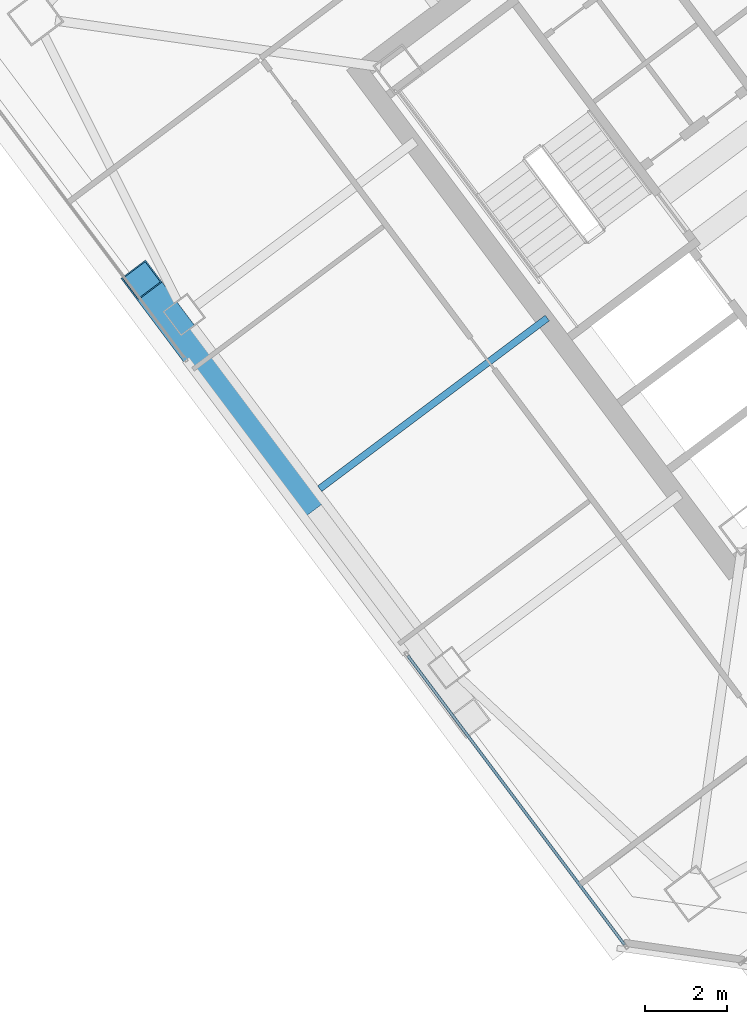
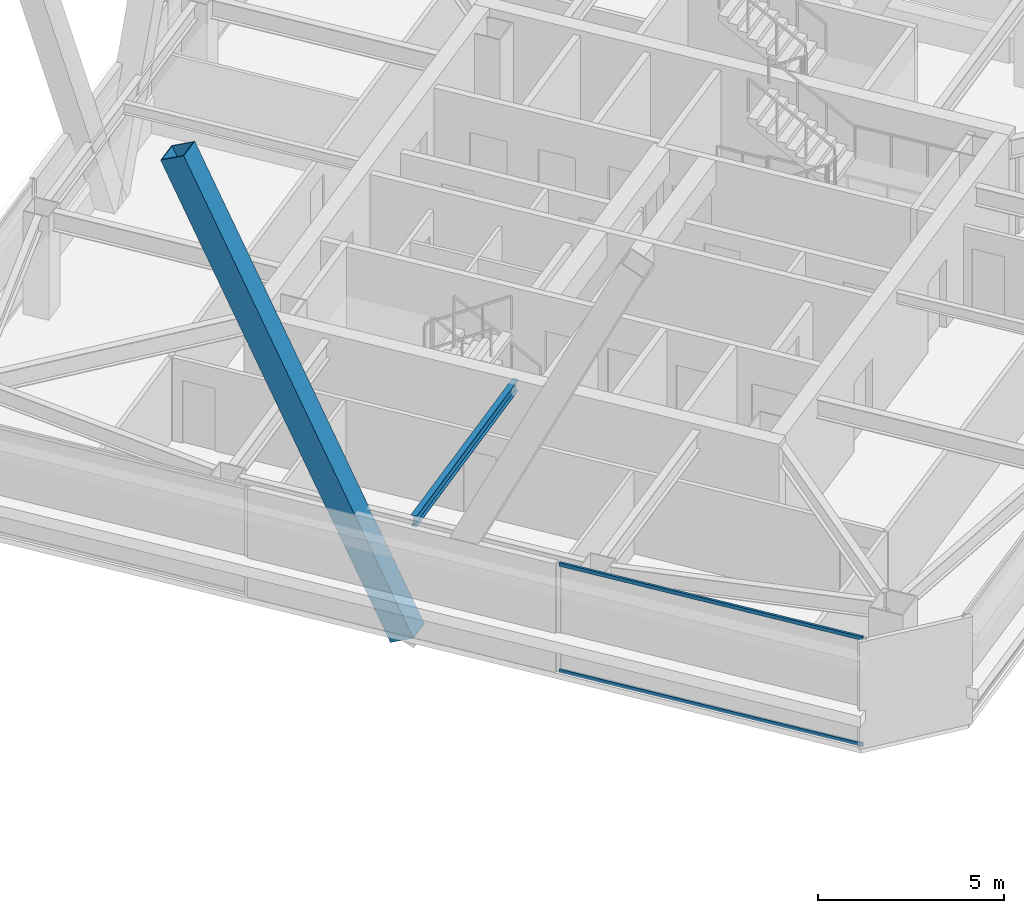
# One storey, part 20 of 47: 3 members, 1 beam, 1 element without a shape of its own.
"""IFC4 building model written with IfcOpenShell, lengths in metres."""

from ifc_helpers import new_model, si_unit, direction, frame, origin, origin_2d, place, context, subcontext, project, spatial, hollow_rectangle, i_section, extrude, material, material_profile, profile_set, type_object, element, aggregate, save


model = new_model("IFC4")

# Units and contexts
model_context = context("Model", 3, precision=1e-05, world=origin(), true_north=direction((0.0, 1.0)))
body_context = subcontext(model_context, "Body", "Model", "MODEL_VIEW")
ifc_project = project(units=[si_unit("LENGTHUNIT", "METRE"), si_unit("AREAUNIT", "SQUARE_METRE"), si_unit("VOLUMEUNIT", "CUBIC_METRE"), si_unit("PLANEANGLEUNIT", "RADIAN"), si_unit("MASSUNIT", "GRAM", prefix="KILO")], contexts=[model_context])

# Site, building, storey
site_placement = place(None, origin())
site = spatial("IfcSite", under=ifc_project, at=site_placement, CompositionType="ELEMENT")
building_placement = place(site_placement, origin())
building = spatial("IfcBuilding", under=site, at=building_placement, Name="Tashvorn Skyway Center", CompositionType="ELEMENT")
storey_placement = place(building_placement, frame((0.0, 0.0, 204.199951171875)))
storey = spatial("IfcBuildingStorey", under=building, at=storey_placement, Name="L55", CompositionType="ELEMENT", Elevation=204.199951171875)

# Beam
ifc_material_1 = material(Name="Steel ASTM A992 Grade 50", Category="steel")
ifc_material_profile_1 = material_profile(ifc_material_1, i_section(OverallWidth=0.1708984375, OverallDepth=0.35498046875, WebThickness=0.007080078125, FlangeThickness=0.01171875, at=origin_2d()), Name="W14X34")
ifc_profile_set_1 = profile_set([ifc_material_profile_1], Name="Steel ASTM A992 Grade 50")
beam_type = type_object("IfcBeamType", Name="BM-JOIST-W14X34", PredefinedType="JOIST", material=ifc_profile_set_1)
beam_placement = place(storey_placement, frame((107.76806640625, 27.325927734375, 3.192626953125), z_axis=(-0.800004207761, -0.599994389612, 0.0), x_axis=(0.599994389612, -0.800004207761, 0.0)))
element("IfcBeam", 1, at=beam_placement, inside=storey, type_object=beam_type, Name="Tower 2 L55 Secondary Composite Joist JW", PredefinedType="JOIST", context=body_context, shape_type="SweptSolid", body=[
    extrude(i_section(OverallWidth=0.1708984375, OverallDepth=0.35498046875, WebThickness=0.007080078125, FlangeThickness=0.01171875, at=origin_2d()), origin(), (0.0, 0.0, 1.0), 6.962646484375),
])

# Curtain wall, members
ifc_material_2 = material(Name="Thermally broken bronze-anodized aluminium 6063-T6", Category="aluminium")
curtain_wall_type = type_object("IfcCurtainWallType", Name="CW-CW-Z5", PredefinedType="NOTDEFINED", material=ifc_material_2)
curtain_wall_placement = place(storey_placement, origin())
curtain_wall = element("IfcCurtainWall", 2, at=curtain_wall_placement, inside=storey, type_object=curtain_wall_type, Name="Tower 2 L55 West Unitised Curtain Wall Glazing Group 1", PredefinedType="NOTDEFINED")
ifc_material_profile_2 = material_profile(ifc_material_2, hollow_rectangle(XDim=0.070068359375, YDim=0.114990234375, WallThickness=0.00390625, at=origin_2d()), Name="ALU-TRAN-70x115")
ifc_profile_set_2 = profile_set([ifc_material_profile_2], Name="Thermally broken bronze-anodized aluminium 6063-T6")
member_type_1 = type_object("IfcMemberType", Name="CWT-CW-Z5", PredefinedType="USERDEFINED", material=ifc_profile_set_2)
member_1_placement = place(storey_placement, frame((109.662109375, 11.98388671875, 0.03515625), z_axis=(-0.600004415441, 0.799996688401, 0.0), x_axis=(-0.799996688401, -0.600004415441, 0.0)))
member_1 = element("IfcMember", 3, at=member_1_placement, type_object=member_type_1, Name="CW-Z5 transom 1.1", ObjectType="TRANSOM", PredefinedType="USERDEFINED", context=body_context, shape_type="SweptSolid", body=[
    extrude(hollow_rectangle(XDim=0.070068359375, YDim=0.114990234375, WallThickness=0.00390625, at=origin_2d()), origin(), (0.0, 0.0, 1.0), 8.8466796875),
])
member_2_placement = place(storey_placement, frame((109.662109375, 11.98388671875, 3.51513671875), z_axis=(-0.600004415441, 0.799996688401, 0.0), x_axis=(-0.799996688401, -0.600004415441, 0.0)))
member_2 = element("IfcMember", 4, at=member_2_placement, type_object=member_type_1, Name="CW-Z5 transom 1.2", ObjectType="TRANSOM", PredefinedType="USERDEFINED", context=body_context, shape_type="SweptSolid", body=[
    extrude(hollow_rectangle(XDim=0.070068359375, YDim=0.114990234375, WallThickness=0.00390625, at=origin_2d()), origin(), (0.0, 0.0, 1.0), 8.8466796875),
])
aggregate(curtain_wall, [member_1, member_2])

# Member
ifc_material_3 = material(Name="Steel ASTM A572 Grade 50", Category="steel")
ifc_material_profile_3 = material_profile(ifc_material_3, hollow_rectangle(XDim=0.75, YDim=0.75, WallThickness=0.031982421875, at=origin_2d()), Name="BOX750x750x32")
ifc_profile_set_3 = profile_set([ifc_material_profile_3], Name="Steel ASTM A572 Grade 50")
member_type_2 = type_object("IfcMemberType", Name="MEM-MB-750", PredefinedType="BRACE", material=ifc_profile_set_3)
member_3_placement = place(storey_placement, frame((101.85595703125, 22.89208984375, -0.199951171875), z_axis=(-0.259767387138, 0.34634599886, 0.901424069821), x_axis=(-0.799991254452, -0.600011660554, 0.0)))
element("IfcMember", 5, at=member_3_placement, inside=storey, type_object=member_type_2, Name="Tower 2 Zone 5 W Chevron Mega-Brace L1", PredefinedType="BRACE", context=body_context, shape_type="SweptSolid", body=[
    extrude(hollow_rectangle(XDim=0.75, YDim=0.75, WallThickness=0.031982421875, at=origin_2d()), origin(), (0.0, 0.0, 1.0), 15.475341796875),
])

save(model, "model.ifc")
